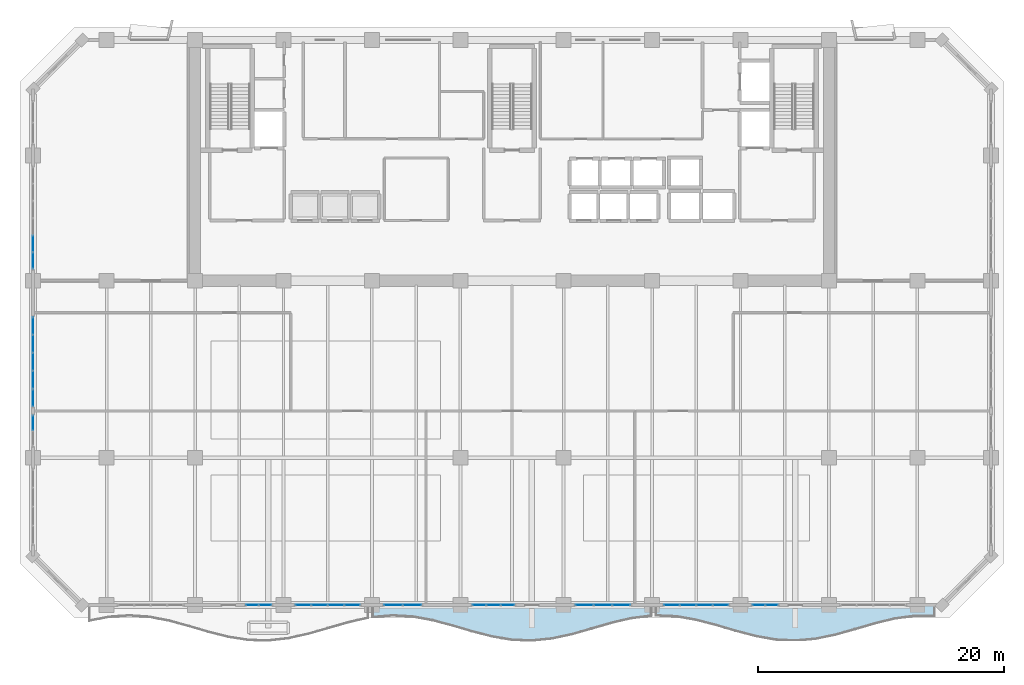
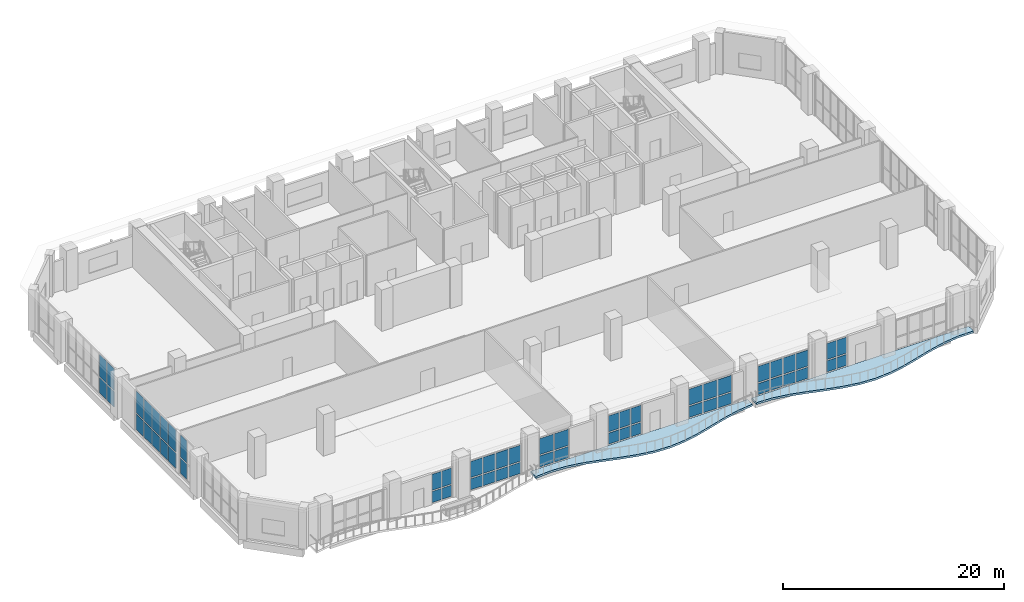
# One storey, part 26 of 37: 56 plates, 2 slabs, 10 elements without a shape of their own.
"""IFC4 building model written with IfcOpenShell, lengths in metres."""

from ifc_helpers import new_model, si_unit, direction, frame, origin, origin_2d, place, context, subcontext, project, spatial, polyline, rectangle, outline, extrude, material, layer, layer_set, type_object, element, aggregate, save


model = new_model("IFC4")

# Units and contexts
model_context = context("Model", 3, precision=1e-05, world=origin(), true_north=direction((0.0, 1.0)))
body_context = subcontext(model_context, "Body", "Model", "MODEL_VIEW")
ifc_project = project(units=[si_unit("LENGTHUNIT", "METRE"), si_unit("AREAUNIT", "SQUARE_METRE"), si_unit("VOLUMEUNIT", "CUBIC_METRE"), si_unit("PLANEANGLEUNIT", "RADIAN"), si_unit("MASSUNIT", "GRAM", prefix="KILO")], contexts=[model_context])

# Site, building, storey
site_placement = place(None, origin())
site = spatial("IfcSite", under=ifc_project, at=site_placement, CompositionType="ELEMENT")
building_placement = place(site_placement, origin())
building = spatial("IfcBuilding", under=site, at=building_placement, Name="Kaelvorn Grand Hotel", CompositionType="ELEMENT")
storey_placement = place(building_placement, frame((0.0, 0.0, 224.35009765625)))
storey = spatial("IfcBuildingStorey", under=building, at=storey_placement, Name="L55", CompositionType="ELEMENT", Elevation=224.35009765625)

# Curtain wall, plates
ifc_material_1 = material(Name="Anodised Aluminium", Category="aluminium")
ifc_layer_1 = layer(ifc_material_1, 0.179931640625)
ifc_layer_set_1 = layer_set([ifc_layer_1], Name="Anodised Aluminium")
curtain_wall_type = type_object("IfcCurtainWallType", Name="CW-SYS4", PredefinedType="NOTDEFINED", material=ifc_layer_set_1)
curtain_wall_1_placement = place(storey_placement, origin())
curtain_wall_1 = element("IfcCurtainWall", 1, at=curtain_wall_1_placement, inside=storey, type_object=curtain_wall_type, Name="L55 Unitised Curtain Wall CW4 (CW-L55-SB2-01)", PredefinedType="NOTDEFINED")
ifc_material_2 = material(Name="Laminated Low-E Glass", Category="glass")
ifc_layer_2 = layer(ifc_material_2, 0.028076171875)
ifc_layer_set_2 = layer_set([ifc_layer_2], Name="Laminated Low-E Glass")
plate_type = type_object("IfcPlateType", Name="CW-SYS4-PAN", PredefinedType="CURTAIN_PANEL", material=ifc_layer_set_2)
plate_1_placement = place(storey_placement, frame((20.849853515625, 3.0, 0.134765625), z_axis=(0.0, 0.0, 1.0), x_axis=(1.0, 0.0, 0.0)))
plate_1 = element("IfcPlate", 2, at=plate_1_placement, type_object=plate_type, Name="CW4 panel 1.1", PredefinedType="CURTAIN_PANEL", context=body_context, shape_type="SweptSolid", body=[
    extrude(rectangle(XDim=0.993408203125, YDim=0.028076171875, at=origin_2d()), origin(), (0.0, 0.0, 1.0), 1.2255859375),
])
plate_2_placement = place(storey_placement, frame((20.849853515625, 3.0, 1.495361328125), z_axis=(0.0, 0.0, 1.0), x_axis=(1.0, 0.0, 0.0)))
plate_2 = element("IfcPlate", 3, at=plate_2_placement, type_object=plate_type, Name="CW4 panel 1.2", PredefinedType="CURTAIN_PANEL", context=body_context, shape_type="SweptSolid", body=[
    extrude(rectangle(XDim=0.993408203125, YDim=0.028076171875, at=origin_2d()), origin(), (0.0, 0.0, 1.0), 1.76953125),
])
plate_3_placement = place(storey_placement, frame((21.913330078125, 3.0, 0.134765625), z_axis=(0.0, 0.0, 1.0), x_axis=(1.0, 0.0, 0.0)))
plate_3 = element("IfcPlate", 4, at=plate_3_placement, type_object=plate_type, Name="CW4 panel 2.1", PredefinedType="CURTAIN_PANEL", context=body_context, shape_type="SweptSolid", body=[
    extrude(rectangle(XDim=0.993408203125, YDim=0.028076171875, at=origin_2d()), origin(), (0.0, 0.0, 1.0), 1.2255859375),
])
plate_4_placement = place(storey_placement, frame((21.913330078125, 3.0, 1.495361328125), z_axis=(0.0, 0.0, 1.0), x_axis=(1.0, 0.0, 0.0)))
plate_4 = element("IfcPlate", 5, at=plate_4_placement, type_object=plate_type, Name="CW4 panel 2.2", PredefinedType="CURTAIN_PANEL", context=body_context, shape_type="SweptSolid", body=[
    extrude(rectangle(XDim=0.993408203125, YDim=0.028076171875, at=origin_2d()), origin(), (0.0, 0.0, 1.0), 1.76953125),
])
aggregate(curtain_wall_1, [plate_1, plate_2, plate_3, plate_4])

curtain_wall_2_placement = place(storey_placement, origin())
curtain_wall_2 = element("IfcCurtainWall", 6, at=curtain_wall_2_placement, inside=storey, type_object=curtain_wall_type, Name="L55 Unitised Curtain Wall CW4 (CW-L55-SB2-02)", PredefinedType="NOTDEFINED")
plate_5_placement = place(storey_placement, frame((25.007568359375, 3.0, 0.134765625), z_axis=(0.0, 0.0, 1.0), x_axis=(1.0, 0.0, 0.0)))
plate_5 = element("IfcPlate", 7, at=plate_5_placement, type_object=plate_type, Name="CW4 panel 1.1", PredefinedType="CURTAIN_PANEL", context=body_context, shape_type="SweptSolid", body=[
    extrude(rectangle(XDim=1.235107421875, YDim=0.028076171875, at=origin_2d()), origin(), (0.0, 0.0, 1.0), 1.2255859375),
])
plate_6_placement = place(storey_placement, frame((25.007568359375, 3.0, 1.495361328125), z_axis=(0.0, 0.0, 1.0), x_axis=(1.0, 0.0, 0.0)))
plate_6 = element("IfcPlate", 8, at=plate_6_placement, type_object=plate_type, Name="CW4 panel 1.2", PredefinedType="CURTAIN_PANEL", context=body_context, shape_type="SweptSolid", body=[
    extrude(rectangle(XDim=1.235107421875, YDim=0.028076171875, at=origin_2d()), origin(), (0.0, 0.0, 1.0), 1.76953125),
])
plate_7_placement = place(storey_placement, frame((26.330078125, 3.0, 0.134765625), z_axis=(0.0, 0.0, 1.0), x_axis=(1.0, 0.0, 0.0)))
plate_7 = element("IfcPlate", 9, at=plate_7_placement, type_object=plate_type, Name="CW4 panel 2.1", PredefinedType="CURTAIN_PANEL", context=body_context, shape_type="SweptSolid", body=[
    extrude(rectangle(XDim=1.27001953125, YDim=0.028076171875, at=origin_2d()), origin(), (0.0, 0.0, 1.0), 1.2255859375),
])
plate_8_placement = place(storey_placement, frame((26.330078125, 3.0, 1.495361328125), z_axis=(0.0, 0.0, 1.0), x_axis=(1.0, 0.0, 0.0)))
plate_8 = element("IfcPlate", 10, at=plate_8_placement, type_object=plate_type, Name="CW4 panel 2.2", PredefinedType="CURTAIN_PANEL", context=body_context, shape_type="SweptSolid", body=[
    extrude(rectangle(XDim=1.27001953125, YDim=0.028076171875, at=origin_2d()), origin(), (0.0, 0.0, 1.0), 1.76953125),
])
plate_9_placement = place(storey_placement, frame((27.669921875, 3.0, 0.134765625), z_axis=(0.0, 0.0, 1.0), x_axis=(1.0, 0.0, 0.0)))
plate_9 = element("IfcPlate", 11, at=plate_9_placement, type_object=plate_type, Name="CW4 panel 3.1", PredefinedType="CURTAIN_PANEL", context=body_context, shape_type="SweptSolid", body=[
    extrude(rectangle(XDim=1.27001953125, YDim=0.028076171875, at=origin_2d()), origin(), (0.0, 0.0, 1.0), 1.2255859375),
])
plate_10_placement = place(storey_placement, frame((27.669921875, 3.0, 1.495361328125), z_axis=(0.0, 0.0, 1.0), x_axis=(1.0, 0.0, 0.0)))
plate_10 = element("IfcPlate", 12, at=plate_10_placement, type_object=plate_type, Name="CW4 panel 3.2", PredefinedType="CURTAIN_PANEL", context=body_context, shape_type="SweptSolid", body=[
    extrude(rectangle(XDim=1.27001953125, YDim=0.028076171875, at=origin_2d()), origin(), (0.0, 0.0, 1.0), 1.76953125),
])
plate_11_placement = place(storey_placement, frame((28.992431640625, 3.0, 0.134765625), z_axis=(0.0, 0.0, 1.0), x_axis=(1.0, 0.0, 0.0)))
plate_11 = element("IfcPlate", 13, at=plate_11_placement, type_object=plate_type, Name="CW4 panel 4.1", PredefinedType="CURTAIN_PANEL", context=body_context, shape_type="SweptSolid", body=[
    extrude(rectangle(XDim=1.235107421875, YDim=0.028076171875, at=origin_2d()), origin(), (0.0, 0.0, 1.0), 1.2255859375),
])
plate_12_placement = place(storey_placement, frame((28.992431640625, 3.0, 1.495361328125), z_axis=(0.0, 0.0, 1.0), x_axis=(1.0, 0.0, 0.0)))
plate_12 = element("IfcPlate", 14, at=plate_12_placement, type_object=plate_type, Name="CW4 panel 4.2", PredefinedType="CURTAIN_PANEL", context=body_context, shape_type="SweptSolid", body=[
    extrude(rectangle(XDim=1.235107421875, YDim=0.028076171875, at=origin_2d()), origin(), (0.0, 0.0, 1.0), 1.76953125),
])
aggregate(curtain_wall_2, [plate_5, plate_6, plate_7, plate_8, plate_9, plate_10, plate_11, plate_12])

curtain_wall_3_placement = place(storey_placement, origin())
curtain_wall_3 = element("IfcCurtainWall", 15, at=curtain_wall_3_placement, inside=storey, type_object=curtain_wall_type, Name="L55 Unitised Curtain Wall CW4 (CW-L55-SB2-03)", PredefinedType="NOTDEFINED")
plate_13_placement = place(storey_placement, frame((32.327392578125, 3.0, 0.134765625), z_axis=(0.0, 0.0, 1.0), x_axis=(1.0, 0.0, 0.0)))
plate_13 = element("IfcPlate", 16, at=plate_13_placement, type_object=plate_type, Name="CW4 panel 1.1", PredefinedType="CURTAIN_PANEL", context=body_context, shape_type="SweptSolid", body=[
    extrude(rectangle(XDim=1.47509765625, YDim=0.028076171875, at=origin_2d()), origin(), (0.0, 0.0, 1.0), 1.2255859375),
])
plate_14_placement = place(storey_placement, frame((32.327392578125, 3.0, 1.495361328125), z_axis=(0.0, 0.0, 1.0), x_axis=(1.0, 0.0, 0.0)))
plate_14 = element("IfcPlate", 17, at=plate_14_placement, type_object=plate_type, Name="CW4 panel 1.2", PredefinedType="CURTAIN_PANEL", context=body_context, shape_type="SweptSolid", body=[
    extrude(rectangle(XDim=1.47509765625, YDim=0.028076171875, at=origin_2d()), origin(), (0.0, 0.0, 1.0), 1.76953125),
])
plate_15_placement = place(storey_placement, frame((33.87255859375, 3.0, 0.134765625), z_axis=(0.0, 0.0, 1.0), x_axis=(1.0, 0.0, 0.0)))
plate_15 = element("IfcPlate", 18, at=plate_15_placement, type_object=plate_type, Name="CW4 panel 2.1", PredefinedType="CURTAIN_PANEL", context=body_context, shape_type="SweptSolid", body=[
    extrude(rectangle(XDim=1.47509765625, YDim=0.028076171875, at=origin_2d()), origin(), (0.0, 0.0, 1.0), 1.2255859375),
])
plate_16_placement = place(storey_placement, frame((33.87255859375, 3.0, 1.495361328125), z_axis=(0.0, 0.0, 1.0), x_axis=(1.0, 0.0, 0.0)))
plate_16 = element("IfcPlate", 19, at=plate_16_placement, type_object=plate_type, Name="CW4 panel 2.2", PredefinedType="CURTAIN_PANEL", context=body_context, shape_type="SweptSolid", body=[
    extrude(rectangle(XDim=1.47509765625, YDim=0.028076171875, at=origin_2d()), origin(), (0.0, 0.0, 1.0), 1.76953125),
])
aggregate(curtain_wall_3, [plate_13, plate_14, plate_15, plate_16])

curtain_wall_4_placement = place(storey_placement, origin())
curtain_wall_4 = element("IfcCurtainWall", 20, at=curtain_wall_4_placement, inside=storey, type_object=curtain_wall_type, Name="L55 Unitised Curtain Wall CW4 (CW-L55-SB2-04)", PredefinedType="NOTDEFINED")
plate_17_placement = place(storey_placement, frame((39.3291015625, 3.0, 0.134765625), z_axis=(0.0, 0.0, 1.0), x_axis=(1.0, 0.0, 0.0)))
plate_17 = element("IfcPlate", 21, at=plate_17_placement, type_object=plate_type, Name="CW4 panel 1.1", PredefinedType="CURTAIN_PANEL", context=body_context, shape_type="SweptSolid", body=[
    extrude(rectangle(XDim=1.077880859375, YDim=0.028076171875, at=origin_2d()), origin(), (0.0, 0.0, 1.0), 1.2255859375),
])
plate_18_placement = place(storey_placement, frame((39.3291015625, 3.0, 1.495361328125), z_axis=(0.0, 0.0, 1.0), x_axis=(1.0, 0.0, 0.0)))
plate_18 = element("IfcPlate", 22, at=plate_18_placement, type_object=plate_type, Name="CW4 panel 1.2", PredefinedType="CURTAIN_PANEL", context=body_context, shape_type="SweptSolid", body=[
    extrude(rectangle(XDim=1.077880859375, YDim=0.028076171875, at=origin_2d()), origin(), (0.0, 0.0, 1.0), 1.76953125),
])
plate_19_placement = place(storey_placement, frame((40.494384765625, 3.0, 0.134765625), z_axis=(0.0, 0.0, 1.0), x_axis=(1.0, 0.0, 0.0)))
plate_19 = element("IfcPlate", 23, at=plate_19_placement, type_object=plate_type, Name="CW4 panel 2.1", PredefinedType="CURTAIN_PANEL", context=body_context, shape_type="SweptSolid", body=[
    extrude(rectangle(XDim=1.113037109375, YDim=0.028076171875, at=origin_2d()), origin(), (0.0, 0.0, 1.0), 1.2255859375),
])
plate_20_placement = place(storey_placement, frame((40.494384765625, 3.0, 1.495361328125), z_axis=(0.0, 0.0, 1.0), x_axis=(1.0, 0.0, 0.0)))
plate_20 = element("IfcPlate", 24, at=plate_20_placement, type_object=plate_type, Name="CW4 panel 2.2", PredefinedType="CURTAIN_PANEL", context=body_context, shape_type="SweptSolid", body=[
    extrude(rectangle(XDim=1.113037109375, YDim=0.028076171875, at=origin_2d()), origin(), (0.0, 0.0, 1.0), 1.76953125),
])
plate_21_placement = place(storey_placement, frame((41.659912109375, 3.0, 0.134765625), z_axis=(0.0, 0.0, 1.0), x_axis=(1.0, 0.0, 0.0)))
plate_21 = element("IfcPlate", 25, at=plate_21_placement, type_object=plate_type, Name="CW4 panel 3.1", PredefinedType="CURTAIN_PANEL", context=body_context, shape_type="SweptSolid", body=[
    extrude(rectangle(XDim=1.077880859375, YDim=0.028076171875, at=origin_2d()), origin(), (0.0, 0.0, 1.0), 1.2255859375),
])
plate_22_placement = place(storey_placement, frame((41.659912109375, 3.0, 1.495361328125), z_axis=(0.0, 0.0, 1.0), x_axis=(1.0, 0.0, 0.0)))
plate_22 = element("IfcPlate", 26, at=plate_22_placement, type_object=plate_type, Name="CW4 panel 3.2", PredefinedType="CURTAIN_PANEL", context=body_context, shape_type="SweptSolid", body=[
    extrude(rectangle(XDim=1.077880859375, YDim=0.028076171875, at=origin_2d()), origin(), (0.0, 0.0, 1.0), 1.76953125),
])
aggregate(curtain_wall_4, [plate_17, plate_18, plate_19, plate_20, plate_21, plate_22])

curtain_wall_5_placement = place(storey_placement, origin())
curtain_wall_5 = element("IfcCurtainWall", 27, at=curtain_wall_5_placement, inside=storey, type_object=curtain_wall_type, Name="L55 Unitised Curtain Wall CW4 (CW-L55-SB3-01)", PredefinedType="NOTDEFINED")
plate_23_placement = place(storey_placement, frame((47.8974609375, 3.0, 0.134765625), z_axis=(0.0, 0.0, 1.0), x_axis=(1.0, 0.0, 0.0)))
plate_23 = element("IfcPlate", 28, at=plate_23_placement, type_object=plate_type, Name="CW4 panel 1.1", PredefinedType="CURTAIN_PANEL", context=body_context, shape_type="SweptSolid", body=[
    extrude(rectangle(XDim=1.4150390625, YDim=0.028076171875, at=origin_2d()), origin(), (0.0, 0.0, 1.0), 1.2255859375),
])
plate_24_placement = place(storey_placement, frame((47.8974609375, 3.0, 1.495361328125), z_axis=(0.0, 0.0, 1.0), x_axis=(1.0, 0.0, 0.0)))
plate_24 = element("IfcPlate", 29, at=plate_24_placement, type_object=plate_type, Name="CW4 panel 1.2", PredefinedType="CURTAIN_PANEL", context=body_context, shape_type="SweptSolid", body=[
    extrude(rectangle(XDim=1.4150390625, YDim=0.028076171875, at=origin_2d()), origin(), (0.0, 0.0, 1.0), 1.76953125),
])
plate_25_placement = place(storey_placement, frame((49.39990234375, 3.0, 0.134765625), z_axis=(0.0, 0.0, 1.0), x_axis=(1.0, 0.0, 0.0)))
plate_25 = element("IfcPlate", 30, at=plate_25_placement, type_object=plate_type, Name="CW4 panel 2.1", PredefinedType="CURTAIN_PANEL", context=body_context, shape_type="SweptSolid", body=[
    extrude(rectangle(XDim=1.449951171875, YDim=0.028076171875, at=origin_2d()), origin(), (0.0, 0.0, 1.0), 1.2255859375),
])
plate_26_placement = place(storey_placement, frame((49.39990234375, 3.0, 1.495361328125), z_axis=(0.0, 0.0, 1.0), x_axis=(1.0, 0.0, 0.0)))
plate_26 = element("IfcPlate", 31, at=plate_26_placement, type_object=plate_type, Name="CW4 panel 2.2", PredefinedType="CURTAIN_PANEL", context=body_context, shape_type="SweptSolid", body=[
    extrude(rectangle(XDim=1.449951171875, YDim=0.028076171875, at=origin_2d()), origin(), (0.0, 0.0, 1.0), 1.76953125),
])
plate_27_placement = place(storey_placement, frame((50.902587890625, 3.0, 0.134765625), z_axis=(0.0, 0.0, 1.0), x_axis=(1.0, 0.0, 0.0)))
plate_27 = element("IfcPlate", 32, at=plate_27_placement, type_object=plate_type, Name="CW4 panel 3.1", PredefinedType="CURTAIN_PANEL", context=body_context, shape_type="SweptSolid", body=[
    extrude(rectangle(XDim=1.4150390625, YDim=0.028076171875, at=origin_2d()), origin(), (0.0, 0.0, 1.0), 1.2255859375),
])
plate_28_placement = place(storey_placement, frame((50.902587890625, 3.0, 1.495361328125), z_axis=(0.0, 0.0, 1.0), x_axis=(1.0, 0.0, 0.0)))
plate_28 = element("IfcPlate", 33, at=plate_28_placement, type_object=plate_type, Name="CW4 panel 3.2", PredefinedType="CURTAIN_PANEL", context=body_context, shape_type="SweptSolid", body=[
    extrude(rectangle(XDim=1.4150390625, YDim=0.028076171875, at=origin_2d()), origin(), (0.0, 0.0, 1.0), 1.76953125),
])
aggregate(curtain_wall_5, [plate_23, plate_24, plate_25, plate_26, plate_27, plate_28])

curtain_wall_6_placement = place(storey_placement, origin())
curtain_wall_6 = element("IfcCurtainWall", 34, at=curtain_wall_6_placement, inside=storey, type_object=curtain_wall_type, Name="L55 Unitised Curtain Wall CW4 (CW-L55-SB3-02)", PredefinedType="NOTDEFINED")
plate_29_placement = place(storey_placement, frame((55.007568359375, 3.0, 0.134765625), z_axis=(0.0, 0.0, 1.0), x_axis=(1.0, 0.0, 0.0)))
plate_29 = element("IfcPlate", 35, at=plate_29_placement, type_object=plate_type, Name="CW4 panel 1.1", PredefinedType="CURTAIN_PANEL", context=body_context, shape_type="SweptSolid", body=[
    extrude(rectangle(XDim=1.235107421875, YDim=0.028076171875, at=origin_2d()), origin(), (0.0, 0.0, 1.0), 1.2255859375),
])
plate_30_placement = place(storey_placement, frame((55.007568359375, 3.0, 1.495361328125), z_axis=(0.0, 0.0, 1.0), x_axis=(1.0, 0.0, 0.0)))
plate_30 = element("IfcPlate", 36, at=plate_30_placement, type_object=plate_type, Name="CW4 panel 1.2", PredefinedType="CURTAIN_PANEL", context=body_context, shape_type="SweptSolid", body=[
    extrude(rectangle(XDim=1.235107421875, YDim=0.028076171875, at=origin_2d()), origin(), (0.0, 0.0, 1.0), 1.76953125),
])
plate_31_placement = place(storey_placement, frame((56.330078125, 3.0, 0.134765625), z_axis=(0.0, 0.0, 1.0), x_axis=(1.0, 0.0, 0.0)))
plate_31 = element("IfcPlate", 37, at=plate_31_placement, type_object=plate_type, Name="CW4 panel 2.1", PredefinedType="CURTAIN_PANEL", context=body_context, shape_type="SweptSolid", body=[
    extrude(rectangle(XDim=1.27001953125, YDim=0.028076171875, at=origin_2d()), origin(), (0.0, 0.0, 1.0), 1.2255859375),
])
plate_32_placement = place(storey_placement, frame((56.330078125, 3.0, 1.495361328125), z_axis=(0.0, 0.0, 1.0), x_axis=(1.0, 0.0, 0.0)))
plate_32 = element("IfcPlate", 38, at=plate_32_placement, type_object=plate_type, Name="CW4 panel 2.2", PredefinedType="CURTAIN_PANEL", context=body_context, shape_type="SweptSolid", body=[
    extrude(rectangle(XDim=1.27001953125, YDim=0.028076171875, at=origin_2d()), origin(), (0.0, 0.0, 1.0), 1.76953125),
])
plate_33_placement = place(storey_placement, frame((57.669921875, 3.0, 0.134765625), z_axis=(0.0, 0.0, 1.0), x_axis=(1.0, 0.0, 0.0)))
plate_33 = element("IfcPlate", 39, at=plate_33_placement, type_object=plate_type, Name="CW4 panel 3.1", PredefinedType="CURTAIN_PANEL", context=body_context, shape_type="SweptSolid", body=[
    extrude(rectangle(XDim=1.27001953125, YDim=0.028076171875, at=origin_2d()), origin(), (0.0, 0.0, 1.0), 1.2255859375),
])
plate_34_placement = place(storey_placement, frame((57.669921875, 3.0, 1.495361328125), z_axis=(0.0, 0.0, 1.0), x_axis=(1.0, 0.0, 0.0)))
plate_34 = element("IfcPlate", 40, at=plate_34_placement, type_object=plate_type, Name="CW4 panel 3.2", PredefinedType="CURTAIN_PANEL", context=body_context, shape_type="SweptSolid", body=[
    extrude(rectangle(XDim=1.27001953125, YDim=0.028076171875, at=origin_2d()), origin(), (0.0, 0.0, 1.0), 1.76953125),
])
plate_35_placement = place(storey_placement, frame((58.992431640625, 3.0, 0.134765625), z_axis=(0.0, 0.0, 1.0), x_axis=(1.0, 0.0, 0.0)))
plate_35 = element("IfcPlate", 41, at=plate_35_placement, type_object=plate_type, Name="CW4 panel 4.1", PredefinedType="CURTAIN_PANEL", context=body_context, shape_type="SweptSolid", body=[
    extrude(rectangle(XDim=1.235107421875, YDim=0.028076171875, at=origin_2d()), origin(), (0.0, 0.0, 1.0), 1.2255859375),
])
plate_36_placement = place(storey_placement, frame((58.992431640625, 3.0, 1.495361328125), z_axis=(0.0, 0.0, 1.0), x_axis=(1.0, 0.0, 0.0)))
plate_36 = element("IfcPlate", 42, at=plate_36_placement, type_object=plate_type, Name="CW4 panel 4.2", PredefinedType="CURTAIN_PANEL", context=body_context, shape_type="SweptSolid", body=[
    extrude(rectangle(XDim=1.235107421875, YDim=0.028076171875, at=origin_2d()), origin(), (0.0, 0.0, 1.0), 1.76953125),
])
aggregate(curtain_wall_6, [plate_29, plate_30, plate_31, plate_32, plate_33, plate_34, plate_35, plate_36])

curtain_wall_7_placement = place(storey_placement, origin())
curtain_wall_7 = element("IfcCurtainWall", 43, at=curtain_wall_7_placement, inside=storey, type_object=curtain_wall_type, Name="L55 Unitised Curtain Wall CW4 (CW-L55-SB3-03)", PredefinedType="NOTDEFINED")
plate_37_placement = place(storey_placement, frame((62.086669921875, 3.0, 0.134765625), z_axis=(0.0, 0.0, 1.0), x_axis=(1.0, 0.0, 0.0)))
plate_37 = element("IfcPlate", 44, at=plate_37_placement, type_object=plate_type, Name="CW4 panel 1.1", PredefinedType="CURTAIN_PANEL", context=body_context, shape_type="SweptSolid", body=[
    extrude(rectangle(XDim=0.993408203125, YDim=0.028076171875, at=origin_2d()), origin(), (0.0, 0.0, 1.0), 1.2255859375),
])
plate_38_placement = place(storey_placement, frame((62.086669921875, 3.0, 1.495361328125), z_axis=(0.0, 0.0, 1.0), x_axis=(1.0, 0.0, 0.0)))
plate_38 = element("IfcPlate", 45, at=plate_38_placement, type_object=plate_type, Name="CW4 panel 1.2", PredefinedType="CURTAIN_PANEL", context=body_context, shape_type="SweptSolid", body=[
    extrude(rectangle(XDim=0.993408203125, YDim=0.028076171875, at=origin_2d()), origin(), (0.0, 0.0, 1.0), 1.76953125),
])
plate_39_placement = place(storey_placement, frame((63.150146484375, 3.0, 0.134765625), z_axis=(0.0, 0.0, 1.0), x_axis=(1.0, 0.0, 0.0)))
plate_39 = element("IfcPlate", 46, at=plate_39_placement, type_object=plate_type, Name="CW4 panel 2.1", PredefinedType="CURTAIN_PANEL", context=body_context, shape_type="SweptSolid", body=[
    extrude(rectangle(XDim=0.993408203125, YDim=0.028076171875, at=origin_2d()), origin(), (0.0, 0.0, 1.0), 1.2255859375),
])
plate_40_placement = place(storey_placement, frame((63.150146484375, 3.0, 1.495361328125), z_axis=(0.0, 0.0, 1.0), x_axis=(1.0, 0.0, 0.0)))
plate_40 = element("IfcPlate", 47, at=plate_40_placement, type_object=plate_type, Name="CW4 panel 2.2", PredefinedType="CURTAIN_PANEL", context=body_context, shape_type="SweptSolid", body=[
    extrude(rectangle(XDim=0.993408203125, YDim=0.028076171875, at=origin_2d()), origin(), (0.0, 0.0, 1.0), 1.76953125),
])
aggregate(curtain_wall_7, [plate_37, plate_38, plate_39, plate_40])

curtain_wall_8_placement = place(storey_placement, origin())
curtain_wall_8 = element("IfcCurtainWall", 48, at=curtain_wall_8_placement, inside=storey, type_object=curtain_wall_type, Name="L55 Unitised Curtain Wall CW4 (CW-L55-W-04)", PredefinedType="NOTDEFINED")
plate_41_placement = place(storey_placement, frame((3.0, 32.409912109375, 0.135009765625), z_axis=(0.0, 0.0, 1.0), x_axis=(0.0, -1.0, 0.0)))
plate_41 = element("IfcPlate", 49, at=plate_41_placement, type_object=plate_type, Name="CW4 panel 5.1", PredefinedType="CURTAIN_PANEL", context=body_context, shape_type="SweptSolid", body=[
    extrude(rectangle(XDim=1.3232421875, YDim=0.028076171875, at=origin_2d()), origin(), (0.0, 0.0, 1.0), 1.69580078125),
])
plate_42_placement = place(storey_placement, frame((3.0, 32.409912109375, 1.9658203125), z_axis=(0.0, 0.0, 1.0), x_axis=(0.0, -1.0, 0.0)))
plate_42 = element("IfcPlate", 50, at=plate_42_placement, type_object=plate_type, Name="CW4 panel 5.2", PredefinedType="CURTAIN_PANEL", context=body_context, shape_type="SweptSolid", body=[
    extrude(rectangle(XDim=1.3232421875, YDim=0.028076171875, at=origin_2d()), origin(), (0.0, 0.0, 1.0), 2.419189453125),
])
plate_43_placement = place(storey_placement, frame((3.0, 31.0341796875, 0.135009765625), z_axis=(0.0, 0.0, 1.0), x_axis=(0.0, -1.0, 0.0)))
plate_43 = element("IfcPlate", 51, at=plate_43_placement, type_object=plate_type, Name="CW4 panel 6.1", PredefinedType="CURTAIN_PANEL", context=body_context, shape_type="SweptSolid", body=[
    extrude(rectangle(XDim=1.288330078125, YDim=0.028076171875, at=origin_2d()), origin(), (0.0, 0.0, 1.0), 1.69580078125),
])
plate_44_placement = place(storey_placement, frame((3.0, 31.0341796875, 1.9658203125), z_axis=(0.0, 0.0, 1.0), x_axis=(0.0, -1.0, 0.0)))
plate_44 = element("IfcPlate", 52, at=plate_44_placement, type_object=plate_type, Name="CW4 panel 6.2", PredefinedType="CURTAIN_PANEL", context=body_context, shape_type="SweptSolid", body=[
    extrude(rectangle(XDim=1.288330078125, YDim=0.028076171875, at=origin_2d()), origin(), (0.0, 0.0, 1.0), 2.419189453125),
])
aggregate(curtain_wall_8, [plate_41, plate_42, plate_43, plate_44])

curtain_wall_9_placement = place(storey_placement, origin())
curtain_wall_9 = element("IfcCurtainWall", 53, at=curtain_wall_9_placement, inside=storey, type_object=curtain_wall_type, Name="L55 Unitised Curtain Wall CW4 (CW-L55-W-03)", PredefinedType="NOTDEFINED")
plate_45_placement = place(storey_placement, frame((3.0, 25.7265625, 0.135009765625), z_axis=(0.0, 0.0, 1.0), x_axis=(0.0, -1.0, 0.0)))
plate_45 = element("IfcPlate", 54, at=plate_45_placement, type_object=plate_type, Name="CW4 panel 1.1", PredefinedType="CURTAIN_PANEL", context=body_context, shape_type="SweptSolid", body=[
    extrude(rectangle(XDim=1.366943359375, YDim=0.028076171875, at=origin_2d()), origin(), (0.0, 0.0, 1.0), 1.69580078125),
])
plate_46_placement = place(storey_placement, frame((3.0, 25.7265625, 1.9658203125), z_axis=(0.0, 0.0, 1.0), x_axis=(0.0, -1.0, 0.0)))
plate_46 = element("IfcPlate", 55, at=plate_46_placement, type_object=plate_type, Name="CW4 panel 1.2", PredefinedType="CURTAIN_PANEL", context=body_context, shape_type="SweptSolid", body=[
    extrude(rectangle(XDim=1.366943359375, YDim=0.028076171875, at=origin_2d()), origin(), (0.0, 0.0, 1.0), 2.419189453125),
])
plate_47_placement = place(storey_placement, frame((3.0, 24.27197265625, 0.135009765625), z_axis=(0.0, 0.0, 1.0), x_axis=(0.0, -1.0, 0.0)))
plate_47 = element("IfcPlate", 56, at=plate_47_placement, type_object=plate_type, Name="CW4 panel 2.1", PredefinedType="CURTAIN_PANEL", context=body_context, shape_type="SweptSolid", body=[
    extrude(rectangle(XDim=1.402099609375, YDim=0.028076171875, at=origin_2d()), origin(), (0.0, 0.0, 1.0), 1.69580078125),
])
plate_48_placement = place(storey_placement, frame((3.0, 24.27197265625, 1.9658203125), z_axis=(0.0, 0.0, 1.0), x_axis=(0.0, -1.0, 0.0)))
plate_48 = element("IfcPlate", 57, at=plate_48_placement, type_object=plate_type, Name="CW4 panel 2.2", PredefinedType="CURTAIN_PANEL", context=body_context, shape_type="SweptSolid", body=[
    extrude(rectangle(XDim=1.402099609375, YDim=0.028076171875, at=origin_2d()), origin(), (0.0, 0.0, 1.0), 2.419189453125),
])
plate_49_placement = place(storey_placement, frame((3.0, 22.800048828125, 0.135009765625), z_axis=(0.0, 0.0, 1.0), x_axis=(0.0, -1.0, 0.0)))
plate_49 = element("IfcPlate", 58, at=plate_49_placement, type_object=plate_type, Name="CW4 panel 3.1", PredefinedType="CURTAIN_PANEL", context=body_context, shape_type="SweptSolid", body=[
    extrude(rectangle(XDim=1.402099609375, YDim=0.028076171875, at=origin_2d()), origin(), (0.0, 0.0, 1.0), 1.69580078125),
])
plate_50_placement = place(storey_placement, frame((3.0, 22.800048828125, 1.9658203125), z_axis=(0.0, 0.0, 1.0), x_axis=(0.0, -1.0, 0.0)))
plate_50 = element("IfcPlate", 59, at=plate_50_placement, type_object=plate_type, Name="CW4 panel 3.2", PredefinedType="CURTAIN_PANEL", context=body_context, shape_type="SweptSolid", body=[
    extrude(rectangle(XDim=1.402099609375, YDim=0.028076171875, at=origin_2d()), origin(), (0.0, 0.0, 1.0), 2.419189453125),
])
plate_51_placement = place(storey_placement, frame((3.0, 21.327880859375, 0.135009765625), z_axis=(0.0, 0.0, 1.0), x_axis=(0.0, -1.0, 0.0)))
plate_51 = element("IfcPlate", 60, at=plate_51_placement, type_object=plate_type, Name="CW4 panel 4.1", PredefinedType="CURTAIN_PANEL", context=body_context, shape_type="SweptSolid", body=[
    extrude(rectangle(XDim=1.402099609375, YDim=0.028076171875, at=origin_2d()), origin(), (0.0, 0.0, 1.0), 1.69580078125),
])
plate_52_placement = place(storey_placement, frame((3.0, 21.327880859375, 1.9658203125), z_axis=(0.0, 0.0, 1.0), x_axis=(0.0, -1.0, 0.0)))
plate_52 = element("IfcPlate", 61, at=plate_52_placement, type_object=plate_type, Name="CW4 panel 4.2", PredefinedType="CURTAIN_PANEL", context=body_context, shape_type="SweptSolid", body=[
    extrude(rectangle(XDim=1.402099609375, YDim=0.028076171875, at=origin_2d()), origin(), (0.0, 0.0, 1.0), 2.419189453125),
])
plate_53_placement = place(storey_placement, frame((3.0, 19.87353515625, 0.135009765625), z_axis=(0.0, 0.0, 1.0), x_axis=(0.0, -1.0, 0.0)))
plate_53 = element("IfcPlate", 62, at=plate_53_placement, type_object=plate_type, Name="CW4 panel 5.1", PredefinedType="CURTAIN_PANEL", context=body_context, shape_type="SweptSolid", body=[
    extrude(rectangle(XDim=1.366943359375, YDim=0.028076171875, at=origin_2d()), origin(), (0.0, 0.0, 1.0), 1.69580078125),
])
plate_54_placement = place(storey_placement, frame((3.0, 19.87353515625, 1.9658203125), z_axis=(0.0, 0.0, 1.0), x_axis=(0.0, -1.0, 0.0)))
plate_54 = element("IfcPlate", 63, at=plate_54_placement, type_object=plate_type, Name="CW4 panel 5.2", PredefinedType="CURTAIN_PANEL", context=body_context, shape_type="SweptSolid", body=[
    extrude(rectangle(XDim=1.366943359375, YDim=0.028076171875, at=origin_2d()), origin(), (0.0, 0.0, 1.0), 2.419189453125),
])
aggregate(curtain_wall_9, [plate_45, plate_46, plate_47, plate_48, plate_49, plate_50, plate_51, plate_52, plate_53, plate_54])

curtain_wall_10_placement = place(storey_placement, origin())
curtain_wall_10 = element("IfcCurtainWall", 64, at=curtain_wall_10_placement, inside=storey, type_object=curtain_wall_type, Name="L55 Unitised Curtain Wall CW4 (CW-L55-W-02)", PredefinedType="NOTDEFINED")
plate_55_placement = place(storey_placement, frame((3.0, 17.822509765625, 0.135009765625), z_axis=(0.0, 0.0, 1.0), x_axis=(0.0, -1.0, 0.0)))
plate_55 = element("IfcPlate", 65, at=plate_55_placement, type_object=plate_type, Name="CW4 panel 1.1", PredefinedType="CURTAIN_PANEL", context=body_context, shape_type="SweptSolid", body=[
    extrude(rectangle(XDim=1.175048828125, YDim=0.028076171875, at=origin_2d()), origin(), (0.0, 0.0, 1.0), 1.69580078125),
])
plate_56_placement = place(storey_placement, frame((3.0, 17.822509765625, 1.9658203125), z_axis=(0.0, 0.0, 1.0), x_axis=(0.0, -1.0, 0.0)))
plate_56 = element("IfcPlate", 66, at=plate_56_placement, type_object=plate_type, Name="CW4 panel 1.2", PredefinedType="CURTAIN_PANEL", context=body_context, shape_type="SweptSolid", body=[
    extrude(rectangle(XDim=1.175048828125, YDim=0.028076171875, at=origin_2d()), origin(), (0.0, 0.0, 1.0), 2.419189453125),
])
aggregate(curtain_wall_10, [plate_55, plate_56])

# Slabs
ifc_material_3 = material(Name="Concrete C40/50", Category="concrete")
ifc_layer_3 = layer(ifc_material_3, 0.219970703125)
ifc_layer_set_3 = layer_set([ifc_layer_3], Name="Concrete C40/50")
slab_type = type_object("IfcSlabType", Name="SLB-BALC-220-C40", PredefinedType="FLOOR", material=ifc_layer_set_3)
slab_1_placement = place(storey_placement, frame((0.0, 0.0, -0.22021484375)))
element("IfcSlab", 67, at=slab_1_placement, inside=storey, type_object=slab_type, Name="L55 Scalloped Wave Balcony Slab 2", PredefinedType="FLOOR", context=body_context, shape_type="SweptSolid", body=[
    extrude(outline(polyline([(30.666748046875, 2.0166015625), (32.28564453125, 2.14892578125), (33.90478515625, 2.058349609375), (35.52392578125, 1.764404296875), (37.142822265625, 1.33154296875), (38.761962890625, 0.853515625), (40.380859375, 0.4345703125), (42.0, 0.166015625), (43.619140625, 0.106201171875), (45.238037109375, 0.268310546875), (46.857177734375, 0.616943359375), (48.47607421875, 1.076171875), (50.09521484375, 1.546142578125), (51.71435546875, 1.92431640625), (53.333251953125, 2.12841796875), (53.333251953125, 3.0), (30.666748046875, 3.0), (30.666748046875, 2.0166015625)])), origin(), (0.0, 0.0, 1.0), 0.22021484375),
])
slab_2_placement = place(storey_placement, frame((0.0, 0.0, -0.22021484375)))
element("IfcSlab", 68, at=slab_2_placement, inside=storey, type_object=slab_type, Name="L55 Scalloped Wave Balcony Slab 3", PredefinedType="FLOOR", context=body_context, shape_type="SweptSolid", body=[
    extrude(outline(polyline([(53.7333984375, 2.14599609375), (55.352294921875, 2.076171875), (56.971435546875, 1.79931640625), (58.590576171875, 1.375732421875), (60.20947265625, 0.8974609375), (61.82861328125, 0.46875), (63.447509765625, 0.182861328125), (65.066650390625, 0.102294921875), (66.685791015625, 0.244140625), (68.3046875, 0.577880859375), (69.923828125, 1.03076171875), (71.54296875, 1.504150390625), (73.161865234375, 1.89501953125), (74.781005859375, 2.1181640625), (76.39990234375, 2.125), (76.39990234375, 3.0), (53.7333984375, 3.0), (53.7333984375, 2.14599609375)])), origin(), (0.0, 0.0, 1.0), 0.22021484375),
])

save(model, "model.ifc")
